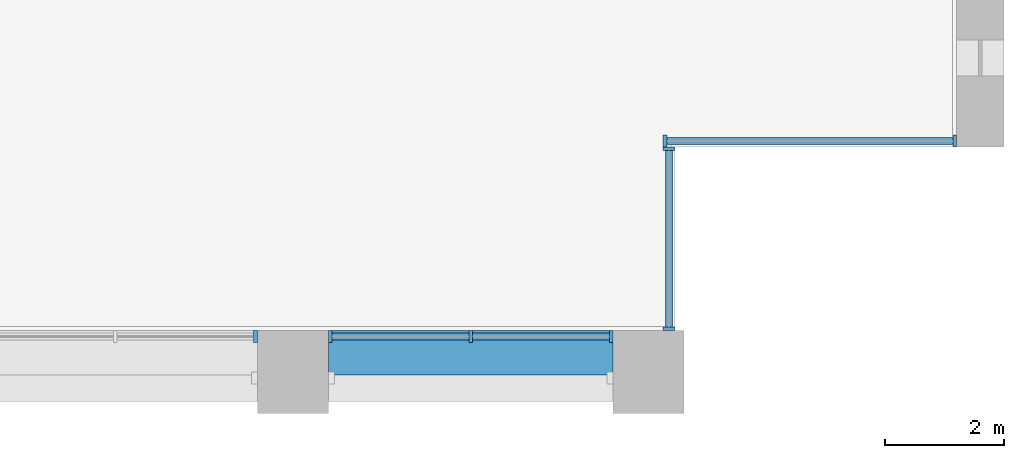
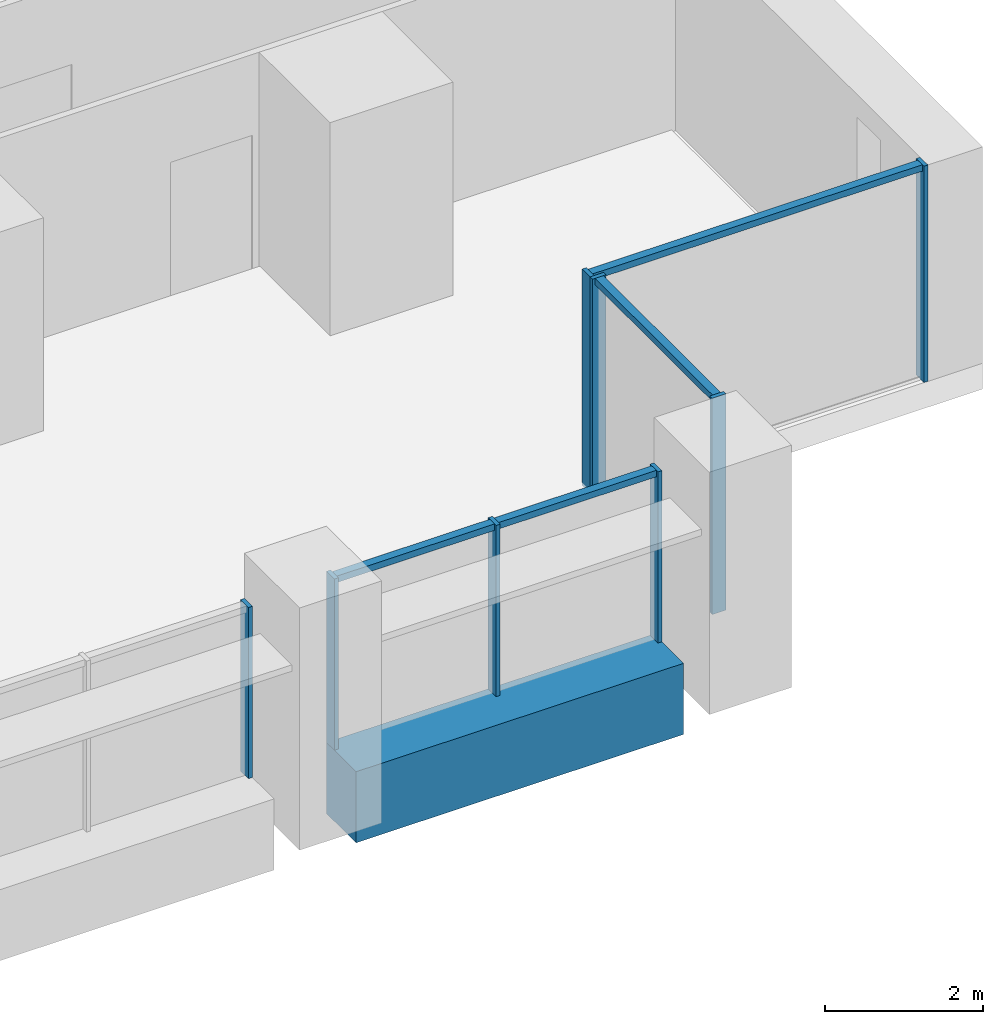
# One storey, part 5 of 18: 12 members, 1 beam, 4 elements without a shape of their own.
"""IFC4 building model written with IfcOpenShell, lengths in metres."""

import ifcopenshell
import ifcopenshell.guid

model = None  # the IFC model being written
_history = None  # IfcOwnerHistory: only IFC2X3 demands one
_inside = {}  # id of a spatial element -> (the spatial element, [elements in it])
_under = {}  # id of a project, library or spatial element -> (it, [spatial elements below it])
_declared = {}  # id of a project -> (the project, [libraries it declares])
_typed = {}  # id of a type object -> (the type object, [elements of that type])
_made_of = {}  # id of a material, layer set ... -> (it, [elements and type objects made of it])


def new_model(schema):
    """Start an empty IFC model of exactly this schema.

    Asked for "IFC4X3", IfcOpenShell would pick the latest addendum, in which some entities
    have other attributes; the version numbers below select the first issue.
    IFC2X3 requires an IfcOwnerHistory on every rooted entity: one is made here for all.
    """
    global model, _history
    if schema == "IFC4X3":
        model = ifcopenshell.file(schema_version=(4, 3, 0, 0))
    else:
        model = ifcopenshell.file(schema=schema)
    _inside.clear()
    _under.clear()
    _declared.clear()
    _typed.clear()
    _made_of.clear()
    _history = None
    if model.schema == "IFC2X3":
        org = make("IfcOrganization", Name="unknown")
        user = make(
            "IfcPersonAndOrganization",
            ThePerson=make("IfcPerson", FamilyName="unknown"),
            TheOrganization=org,
        )
        app = make(
            "IfcApplication",
            ApplicationDeveloper=org,
            Version="unknown",
            ApplicationFullName="unknown",
            ApplicationIdentifier="unknown",
        )
        _history = make(
            "IfcOwnerHistory",
            OwningUser=user,
            OwningApplication=app,
            ChangeAction="ADDED",
            CreationDate=0,
        )
    return model


def make(cls, **values):
    """One entity of the class cls with the attributes given. An attribute that is None is left unset."""
    return model.create_entity(
        cls, **{name: value for name, value in values.items() if value is not None}
    )


def rooted(cls, **values):
    """An entity with a GlobalId (a new one), such as an element, a storey or a relation."""
    return make(cls, GlobalId=ifcopenshell.guid.new(), OwnerHistory=_history, **values)


def si_unit(unit_type, name, prefix=None):
    """IfcSIUnit, for example si_unit("LENGTHUNIT", "METRE", prefix="MILLI")."""
    return make("IfcSIUnit", UnitType=unit_type, Prefix=prefix, Name=name)


def assignment(units):
    """IfcUnitAssignment: the units of a project."""
    return None if units is None else make("IfcUnitAssignment", Units=units)


def point(xyz):
    """IfcCartesianPoint."""
    return None if xyz is None else make("IfcCartesianPoint", Coordinates=xyz)


def direction(xyz):
    """IfcDirection."""
    return None if xyz is None else make("IfcDirection", DirectionRatios=xyz)


def frame(location, z_axis=None, x_axis=None):
    """IfcAxis2Placement3D, a coordinate frame: its origin and axes. An axis left out is left unset."""
    return make(
        "IfcAxis2Placement3D",
        Location=point(location),
        Axis=direction(z_axis),
        RefDirection=direction(x_axis),
    )


def frame_2d(location, x_axis=None):
    """IfcAxis2Placement2D, a coordinate frame in the plane: its origin and x axis."""
    return make(
        "IfcAxis2Placement2D", Location=point(location), RefDirection=direction(x_axis)
    )


def origin():
    """The frame at (0, 0, 0) with its axes left unset."""
    return frame((0.0, 0.0, 0.0))


def origin_2d():
    """The frame at (0, 0) in the plane with its x axis left unset."""
    return frame_2d((0.0, 0.0))


def place(relative_to, where):
    """IfcLocalPlacement: puts the frame where relative to a parent placement (None: the world)."""
    return make(
        "IfcLocalPlacement", PlacementRelTo=relative_to, RelativePlacement=where
    )


def context(
    kind, dimensions, precision=None, world=None, true_north=None, identifier=None
):
    """IfcGeometricRepresentationContext, for example the 3D "Model" context."""
    return make(
        "IfcGeometricRepresentationContext",
        ContextIdentifier=identifier,
        ContextType=kind,
        CoordinateSpaceDimension=dimensions,
        Precision=precision,
        WorldCoordinateSystem=world,
        TrueNorth=true_north,
    )


def subcontext(parent, identifier, kind, view, scale=None):
    """IfcGeometricRepresentationSubContext, for example "Body" below "Model"."""
    return make(
        "IfcGeometricRepresentationSubContext",
        ContextIdentifier=identifier,
        ContextType=kind,
        ParentContext=parent,
        TargetScale=scale,
        TargetView=view,
    )


def project(units=None, contexts=None):
    """IfcProject with its units and contexts."""
    return rooted(
        "IfcProject",
        Name="project",
        RepresentationContexts=contexts,
        UnitsInContext=assignment(units),
    )


def spatial(cls, under=None, at=None, **own):
    """A site, building, storey or space (cls), placed at a placement, below another one or the project."""
    s = rooted(cls, ObjectPlacement=at, **own)
    if under is not None:
        _under.setdefault(under.id(), (under, []))[1].append(s)
    return s


def profile(cls, at=None, kind="AREA", **sizes):
    """A parametric profile (cls). Its sizes go by their IFC names, for example OverallWidth=200.0."""
    return make(cls, ProfileType=kind, Position=at, **sizes)


def rectangle(**sizes):
    """IfcRectangleProfileDef."""
    return profile("IfcRectangleProfileDef", **sizes)


def extrude(swept, where, along, depth):
    """IfcExtrudedAreaSolid: the profile swept, set in the frame where, extruded along a direction by depth."""
    return make(
        "IfcExtrudedAreaSolid",
        SweptArea=swept,
        Position=where,
        ExtrudedDirection=direction(along),
        Depth=depth,
    )


def shape(context_of_items, identifier, shape_type, items):
    """IfcShapeRepresentation: the items that make up one representation, for example the "Body"."""
    return make(
        "IfcShapeRepresentation",
        ContextOfItems=context_of_items,
        RepresentationIdentifier=identifier,
        RepresentationType=shape_type,
        Items=items,
    )


def material(Name=None, Category=None):
    """IfcMaterial."""
    return make("IfcMaterial", Name=Name, Category=Category)


def material_profile(
    of_material, cross_section, Name=None, Category=None, Priority=None
):
    """IfcMaterialProfile: a cross section and its material."""
    return make(
        "IfcMaterialProfile",
        Name=Name,
        Material=of_material,
        Profile=cross_section,
        Priority=Priority,
        Category=Category,
    )


def profile_set(profiles, Name=None, composite=None):
    """IfcMaterialProfileSet."""
    return make(
        "IfcMaterialProfileSet",
        Name=Name,
        MaterialProfiles=profiles,
        CompositeProfile=composite,
    )


def made_of(thing, what):
    """Note that an element or type object is made of a material, layer set ...; save() writes the relation."""
    if what is not None:
        _made_of.setdefault(what.id(), (what, []))[1].append(thing)
    return thing


def type_object(cls, material=None, **own):
    """A type object (cls), such as IfcWallType, which elements share."""
    return made_of(rooted(cls, **own), material)


def element(
    cls,
    number,
    at=None,
    inside=None,
    cuts=None,
    type_object=None,
    material=None,
    context=None,
    identifier="Body",
    shape_type=None,
    held_by="IfcProductDefinitionShape",
    body=None,
    shapes=None,
    **own,
):
    """One element of the class cls, such as IfcWall. Its Tag is "e" and its number.

    at: its placement. inside: the storey or other place that contains it. cuts: it is an
    opening in that element (IfcRelVoidsElement). A single representation is given by context,
    identifier, shape_type and body (its items); several are given by shapes. held_by: the class
    of the entity that holds the representations. save() writes the other relations.
    """
    e = rooted(cls, Tag="e%d" % number, ObjectPlacement=at, **own)
    if body is not None:
        shapes = [shape(context, identifier, shape_type, body)]
    if shapes is not None:
        e.Representation = make(held_by, Representations=shapes)
    if inside is not None:
        _inside.setdefault(inside.id(), (inside, []))[1].append(e)
    if cuts is not None:
        rooted(
            "IfcRelVoidsElement", RelatingBuildingElement=cuts, RelatedOpeningElement=e
        )
    if type_object is not None:
        _typed.setdefault(type_object.id(), (type_object, []))[1].append(e)
    return made_of(e, material)


def aggregate(whole, parts):
    """IfcRelAggregates: a whole, such as a stair, and the parts it consists of."""
    return rooted("IfcRelAggregates", RelatingObject=whole, RelatedObjects=parts)


def save(model, path):
    """Write the relations noted so far, then the file.

    IfcRelAggregates (storeys below a building ...), IfcRelContainedInSpatialStructure (elements
    in a storey), IfcRelDefinesByType, IfcRelAssociatesMaterial and IfcRelDeclares: one each for
    every whole, place, type object, material and project.
    """
    for whole, parts in _under.values():
        aggregate(whole, parts)
    for where, things in _inside.values():
        rooted(
            "IfcRelContainedInSpatialStructure",
            RelatedElements=things,
            RelatingStructure=where,
        )
    for kind, things in _typed.values():
        rooted("IfcRelDefinesByType", RelatedObjects=things, RelatingType=kind)
    for what, things in _made_of.values():
        rooted("IfcRelAssociatesMaterial", RelatedObjects=things, RelatingMaterial=what)
    for by, libraries in _declared.values():
        rooted("IfcRelDeclares", RelatingContext=by, RelatedDefinitions=libraries)
    model.write(path)


model = new_model("IFC4")

# Units and contexts
model_context = context("Model", 3, precision=1e-05, world=origin(), true_north=direction((0.0, 1.0)))
body_context = subcontext(model_context, "Body", "Model", "MODEL_VIEW")
ifc_project = project(units=[si_unit("LENGTHUNIT", "METRE"), si_unit("AREAUNIT", "SQUARE_METRE"), si_unit("VOLUMEUNIT", "CUBIC_METRE"), si_unit("PLANEANGLEUNIT", "RADIAN"), si_unit("MASSUNIT", "GRAM", prefix="KILO")], contexts=[model_context])

# Site, building, storey
site_placement = place(None, origin())
site = spatial("IfcSite", under=ifc_project, at=site_placement, CompositionType="ELEMENT")
building_placement = place(site_placement, origin())
building = spatial("IfcBuilding", under=site, at=building_placement, Name="Calvaro Tower", CompositionType="ELEMENT")
storey_placement = place(building_placement, frame((0.0, 0.0, 33.75)))
storey = spatial("IfcBuildingStorey", under=building, at=storey_placement, Name="L07", CompositionType="ELEMENT", Elevation=33.75)

# Curtain wall, member
ifc_material_1 = material(Name="Anodised aluminium", Category="aluminium")
curtain_wall_type = type_object("IfcCurtainWallType", Name="Office curtain wall, lower zone", PredefinedType="NOTDEFINED", material=ifc_material_1)
curtain_wall_1_placement = place(storey_placement, origin())
curtain_wall_1 = element("IfcCurtainWall", 1, at=curtain_wall_1_placement, inside=storey, type_object=curtain_wall_type, Name="CW1 south curtain wall", PredefinedType="NOTDEFINED")
ifc_material_2 = material(Name="Anodised aluminium", Category="aluminium")
ifc_material_profile_1 = material_profile(ifc_material_2, rectangle(XDim=0.199951171875, YDim=0.06005859375, at=origin_2d()), Name="Mullion S1 60 x 200")
ifc_profile_set_1 = profile_set([ifc_material_profile_1], Name="Anodised aluminium")
member_type_1 = type_object("IfcMemberType", Name="Mullion S1 60 x 200", PredefinedType="MULLION", material=ifc_profile_set_1)
member_1_placement = place(storey_placement, frame((65.3701171875, 1.300048828125, 0.0), z_axis=(0.0, 0.0, 1.0), x_axis=(0.0, 1.0, 0.0)))
member_1 = element("IfcMember", 2, at=member_1_placement, type_object=member_type_1, Name="CW1 mullion 3", PredefinedType="MULLION", context=body_context, shape_type="SweptSolid", body=[
    extrude(rectangle(XDim=0.199951171875, YDim=0.06005859375, at=origin_2d()), origin(), (0.0, 0.0, 1.0), 2.64990234375),
])
aggregate(curtain_wall_1, [member_1])

# Curtain wall, members
curtain_wall_2_placement = place(storey_placement, origin())
curtain_wall_2 = element("IfcCurtainWall", 3, at=curtain_wall_2_placement, inside=storey, type_object=curtain_wall_type, Name="CW1 south curtain wall", PredefinedType="NOTDEFINED")
member_2_placement = place(storey_placement, frame((66.6298828125, 1.300048828125, 0.0), z_axis=(0.0, 0.0, 1.0), x_axis=(0.0, 1.0, 0.0)))
member_2 = element("IfcMember", 4, at=member_2_placement, type_object=member_type_1, Name="CW1 mullion 1", PredefinedType="MULLION", context=body_context, shape_type="SweptSolid", body=[
    extrude(rectangle(XDim=0.199951171875, YDim=0.06005859375, at=origin_2d()), origin(), (0.0, 0.0, 1.0), 2.64990234375),
])
member_3_placement = place(storey_placement, frame((69.0, 1.300048828125, 0.0), z_axis=(0.0, 0.0, 1.0), x_axis=(0.0, 1.0, 0.0)))
member_3 = element("IfcMember", 5, at=member_3_placement, type_object=member_type_1, Name="CW1 mullion 2", PredefinedType="MULLION", context=body_context, shape_type="SweptSolid", body=[
    extrude(rectangle(XDim=0.199951171875, YDim=0.06005859375, at=origin_2d()), origin(), (0.0, 0.0, 1.0), 2.64990234375),
])
member_4_placement = place(storey_placement, frame((71.3701171875, 1.300048828125, 0.0), z_axis=(0.0, 0.0, 1.0), x_axis=(0.0, 1.0, 0.0)))
member_4 = element("IfcMember", 6, at=member_4_placement, type_object=member_type_1, Name="CW1 mullion 3", PredefinedType="MULLION", context=body_context, shape_type="SweptSolid", body=[
    extrude(rectangle(XDim=0.199951171875, YDim=0.06005859375, at=origin_2d()), origin(), (0.0, 0.0, 1.0), 2.64990234375),
])

curtain_wall_3_placement = place(storey_placement, origin())
curtain_wall_3 = element("IfcCurtainWall", 7, at=curtain_wall_3_placement, inside=storey, type_object=curtain_wall_type, Name="CW1 corner curtain wall", PredefinedType="NOTDEFINED")
member_5_placement = place(storey_placement, frame((72.35009765625, 1.429931640625, 0.0), z_axis=(0.0, 0.0, 1.0), x_axis=(-1.0, 0.0, 0.0)))
member_5 = element("IfcMember", 8, at=member_5_placement, type_object=member_type_1, Name="CW1 mullion 1", PredefinedType="MULLION", context=body_context, shape_type="SweptSolid", body=[
    extrude(rectangle(XDim=0.199951171875, YDim=0.06005859375, at=origin_2d()), origin(), (0.0, 0.0, 1.0), 3.35009765625),
])
member_6_placement = place(storey_placement, frame((72.35009765625, 4.469970703125, 0.0), z_axis=(0.0, 0.0, 1.0), x_axis=(-1.0, 0.0, 0.0)))
member_6 = element("IfcMember", 9, at=member_6_placement, type_object=member_type_1, Name="CW1 mullion 2", PredefinedType="MULLION", context=body_context, shape_type="SweptSolid", body=[
    extrude(rectangle(XDim=0.199951171875, YDim=0.06005859375, at=origin_2d()), origin(), (0.0, 0.0, 1.0), 3.35009765625),
])

curtain_wall_4_placement = place(storey_placement, origin())
curtain_wall_4 = element("IfcCurtainWall", 10, at=curtain_wall_4_placement, inside=storey, type_object=curtain_wall_type, Name="CW1 corner curtain wall", PredefinedType="NOTDEFINED")
member_7_placement = place(storey_placement, frame((72.280029296875, 4.60009765625, 0.0), z_axis=(0.0, 0.0, 1.0), x_axis=(0.0, 1.0, 0.0)))
member_7 = element("IfcMember", 11, at=member_7_placement, type_object=member_type_1, Name="CW1 mullion 1", PredefinedType="MULLION", context=body_context, shape_type="SweptSolid", body=[
    extrude(rectangle(XDim=0.199951171875, YDim=0.06005859375, at=origin_2d()), origin(), (0.0, 0.0, 1.0), 3.35009765625),
])
member_8_placement = place(storey_placement, frame((77.169921875, 4.60009765625, 0.0), z_axis=(0.0, 0.0, 1.0), x_axis=(0.0, 1.0, 0.0)))
member_8 = element("IfcMember", 12, at=member_8_placement, type_object=member_type_1, Name="CW1 mullion 2", PredefinedType="MULLION", context=body_context, shape_type="SweptSolid", body=[
    extrude(rectangle(XDim=0.199951171875, YDim=0.06005859375, at=origin_2d()), origin(), (0.0, 0.0, 1.0), 3.35009765625),
])

# Beam
ifc_material_3 = material(Name="Concrete C50/60 precast", Category="concrete")
ifc_material_profile_2 = material_profile(ifc_material_3, rectangle(XDim=0.75, YDim=1.10009765625, at=origin_2d()), Name="RC 750x1100")
ifc_profile_set_2 = profile_set([ifc_material_profile_2], Name="Concrete C50/60 precast")
beam_type = type_object("IfcBeamType", Name="Spandrel beam 750x1100 C50/60", PredefinedType="SPANDREL", material=ifc_profile_set_2)
beam_placement = place(storey_placement, frame((66.60009765625, 1.02490234375, -0.550048828125), z_axis=(1.0, 0.0, 0.0), x_axis=(0.0, 1.0, 0.0)))
element("IfcBeam", 13, at=beam_placement, inside=storey, type_object=beam_type, Name="Spandrel beam", PredefinedType="SPANDREL", context=body_context, shape_type="SweptSolid", body=[
    extrude(rectangle(XDim=0.75, YDim=1.10009765625, at=origin_2d()), origin(), (0.0, 0.0, 1.0), 4.7998046875),
])

# Member
ifc_material_4 = material(Name="Anodised aluminium", Category="aluminium")
ifc_material_profile_3 = material_profile(ifc_material_4, rectangle(XDim=0.1201171875, YDim=0.10009765625, at=origin_2d()), Name="Transom S1 100 x 120")
ifc_profile_set_3 = profile_set([ifc_material_profile_3], Name="Anodised aluminium")
member_type_2 = type_object("IfcMemberType", Name="Transom S1 100 x 120", PredefinedType="USERDEFINED", material=ifc_profile_set_3)
member_9_placement = place(storey_placement, frame((66.659912109375, 1.300048828125, 2.60009765625), z_axis=(1.0, 0.0, 0.0), x_axis=(0.0, 1.0, 0.0)))
member_9 = element("IfcMember", 14, at=member_9_placement, type_object=member_type_2, Name="CW1 transom 1.1", ObjectType="TRANSOM", PredefinedType="USERDEFINED", context=body_context, shape_type="SweptSolid", body=[
    extrude(rectangle(XDim=0.1201171875, YDim=0.10009765625, at=origin_2d()), origin(), (0.0, 0.0, 1.0), 2.31005859375),
])

member_10_placement = place(storey_placement, frame((69.030029296875, 1.300048828125, 2.60009765625), z_axis=(1.0, 0.0, 0.0), x_axis=(0.0, 1.0, 0.0)))
member_10 = element("IfcMember", 15, at=member_10_placement, type_object=member_type_2, Name="CW1 transom 2.1", ObjectType="TRANSOM", PredefinedType="USERDEFINED", context=body_context, shape_type="SweptSolid", body=[
    extrude(rectangle(XDim=0.1201171875, YDim=0.10009765625, at=origin_2d()), origin(), (0.0, 0.0, 1.0), 2.31005859375),
])

aggregate(curtain_wall_2, [member_2, member_3, member_4, member_9, member_10])

member_11_placement = place(storey_placement, frame((72.35009765625, 1.4599609375, 3.300048828125), z_axis=(0.0, 1.0, 0.0), x_axis=(-1.0, 0.0, 0.0)))
member_11 = element("IfcMember", 16, at=member_11_placement, type_object=member_type_2, Name="CW1 transom 1.1", ObjectType="TRANSOM", PredefinedType="USERDEFINED", context=body_context, shape_type="SweptSolid", body=[
    extrude(rectangle(XDim=0.1201171875, YDim=0.10009765625, at=origin_2d()), origin(), (0.0, 0.0, 1.0), 2.97998046875),
])

aggregate(curtain_wall_3, [member_5, member_6, member_11])

member_12_placement = place(storey_placement, frame((72.31005859375, 4.60009765625, 3.300048828125), z_axis=(1.0, 0.0, 0.0), x_axis=(0.0, 1.0, 0.0)))
member_12 = element("IfcMember", 17, at=member_12_placement, type_object=member_type_2, Name="CW1 transom 1.1", ObjectType="TRANSOM", PredefinedType="USERDEFINED", context=body_context, shape_type="SweptSolid", body=[
    extrude(rectangle(XDim=0.1201171875, YDim=0.10009765625, at=origin_2d()), origin(), (0.0, 0.0, 1.0), 4.829833984375),
])

aggregate(curtain_wall_4, [member_7, member_8, member_12])

save(model, "model.ifc")
